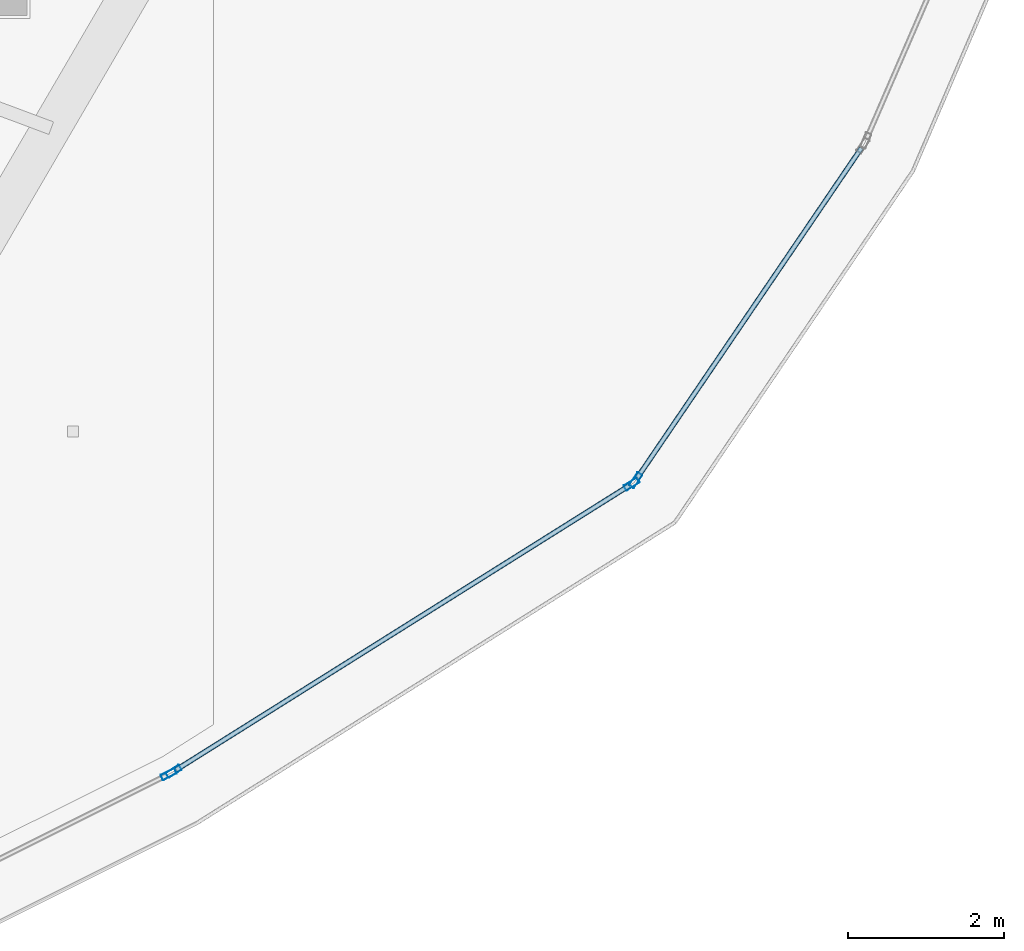
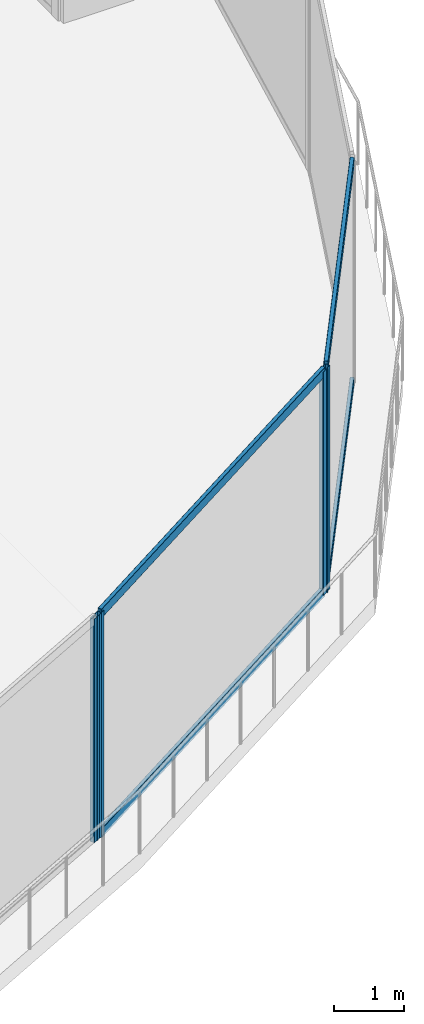
# One storey, part 8 of 27: 8 members, 3 elements without a shape of their own.
"""IFC4 building model written with IfcOpenShell, lengths in metres."""

import ifcopenshell
import ifcopenshell.guid

model = None  # the IFC model being written
_history = None  # IfcOwnerHistory: only IFC2X3 demands one
_inside = {}  # id of a spatial element -> (the spatial element, [elements in it])
_under = {}  # id of a project, library or spatial element -> (it, [spatial elements below it])
_declared = {}  # id of a project -> (the project, [libraries it declares])
_typed = {}  # id of a type object -> (the type object, [elements of that type])
_made_of = {}  # id of a material, layer set ... -> (it, [elements and type objects made of it])


def new_model(schema):
    """Start an empty IFC model of exactly this schema.

    Asked for "IFC4X3", IfcOpenShell would pick the latest addendum, in which some entities
    have other attributes; the version numbers below select the first issue.
    IFC2X3 requires an IfcOwnerHistory on every rooted entity: one is made here for all.
    """
    global model, _history
    if schema == "IFC4X3":
        model = ifcopenshell.file(schema_version=(4, 3, 0, 0))
    else:
        model = ifcopenshell.file(schema=schema)
    _inside.clear()
    _under.clear()
    _declared.clear()
    _typed.clear()
    _made_of.clear()
    _history = None
    if model.schema == "IFC2X3":
        org = make("IfcOrganization", Name="unknown")
        user = make(
            "IfcPersonAndOrganization",
            ThePerson=make("IfcPerson", FamilyName="unknown"),
            TheOrganization=org,
        )
        app = make(
            "IfcApplication",
            ApplicationDeveloper=org,
            Version="unknown",
            ApplicationFullName="unknown",
            ApplicationIdentifier="unknown",
        )
        _history = make(
            "IfcOwnerHistory",
            OwningUser=user,
            OwningApplication=app,
            ChangeAction="ADDED",
            CreationDate=0,
        )
    return model


def make(cls, **values):
    """One entity of the class cls with the attributes given. An attribute that is None is left unset."""
    return model.create_entity(
        cls, **{name: value for name, value in values.items() if value is not None}
    )


def rooted(cls, **values):
    """An entity with a GlobalId (a new one), such as an element, a storey or a relation."""
    return make(cls, GlobalId=ifcopenshell.guid.new(), OwnerHistory=_history, **values)


def si_unit(unit_type, name, prefix=None):
    """IfcSIUnit, for example si_unit("LENGTHUNIT", "METRE", prefix="MILLI")."""
    return make("IfcSIUnit", UnitType=unit_type, Prefix=prefix, Name=name)


def assignment(units):
    """IfcUnitAssignment: the units of a project."""
    return None if units is None else make("IfcUnitAssignment", Units=units)


def point(xyz):
    """IfcCartesianPoint."""
    return None if xyz is None else make("IfcCartesianPoint", Coordinates=xyz)


def direction(xyz):
    """IfcDirection."""
    return None if xyz is None else make("IfcDirection", DirectionRatios=xyz)


def frame(location, z_axis=None, x_axis=None):
    """IfcAxis2Placement3D, a coordinate frame: its origin and axes. An axis left out is left unset."""
    return make(
        "IfcAxis2Placement3D",
        Location=point(location),
        Axis=direction(z_axis),
        RefDirection=direction(x_axis),
    )


def frame_2d(location, x_axis=None):
    """IfcAxis2Placement2D, a coordinate frame in the plane: its origin and x axis."""
    return make(
        "IfcAxis2Placement2D", Location=point(location), RefDirection=direction(x_axis)
    )


def origin():
    """The frame at (0, 0, 0) with its axes left unset."""
    return frame((0.0, 0.0, 0.0))


def origin_2d():
    """The frame at (0, 0) in the plane with its x axis left unset."""
    return frame_2d((0.0, 0.0))


def place(relative_to, where):
    """IfcLocalPlacement: puts the frame where relative to a parent placement (None: the world)."""
    return make(
        "IfcLocalPlacement", PlacementRelTo=relative_to, RelativePlacement=where
    )


def context(
    kind, dimensions, precision=None, world=None, true_north=None, identifier=None
):
    """IfcGeometricRepresentationContext, for example the 3D "Model" context."""
    return make(
        "IfcGeometricRepresentationContext",
        ContextIdentifier=identifier,
        ContextType=kind,
        CoordinateSpaceDimension=dimensions,
        Precision=precision,
        WorldCoordinateSystem=world,
        TrueNorth=true_north,
    )


def subcontext(parent, identifier, kind, view, scale=None):
    """IfcGeometricRepresentationSubContext, for example "Body" below "Model"."""
    return make(
        "IfcGeometricRepresentationSubContext",
        ContextIdentifier=identifier,
        ContextType=kind,
        ParentContext=parent,
        TargetScale=scale,
        TargetView=view,
    )


def project(units=None, contexts=None):
    """IfcProject with its units and contexts."""
    return rooted(
        "IfcProject",
        Name="project",
        RepresentationContexts=contexts,
        UnitsInContext=assignment(units),
    )


def spatial(cls, under=None, at=None, **own):
    """A site, building, storey or space (cls), placed at a placement, below another one or the project."""
    s = rooted(cls, ObjectPlacement=at, **own)
    if under is not None:
        _under.setdefault(under.id(), (under, []))[1].append(s)
    return s


def profile(cls, at=None, kind="AREA", **sizes):
    """A parametric profile (cls). Its sizes go by their IFC names, for example OverallWidth=200.0."""
    return make(cls, ProfileType=kind, Position=at, **sizes)


def hollow_rectangle(**sizes):
    """IfcRectangleHollowProfileDef."""
    return profile("IfcRectangleHollowProfileDef", **sizes)


def extrude(swept, where, along, depth):
    """IfcExtrudedAreaSolid: the profile swept, set in the frame where, extruded along a direction by depth."""
    return make(
        "IfcExtrudedAreaSolid",
        SweptArea=swept,
        Position=where,
        ExtrudedDirection=direction(along),
        Depth=depth,
    )


def shape(context_of_items, identifier, shape_type, items):
    """IfcShapeRepresentation: the items that make up one representation, for example the "Body"."""
    return make(
        "IfcShapeRepresentation",
        ContextOfItems=context_of_items,
        RepresentationIdentifier=identifier,
        RepresentationType=shape_type,
        Items=items,
    )


def material(Name=None, Category=None):
    """IfcMaterial."""
    return make("IfcMaterial", Name=Name, Category=Category)


def layer(
    of_material, thickness, ventilated=None, Name=None, Category=None, Priority=None
):
    """IfcMaterialLayer: one layer of a wall or slab, of a material (None: an air gap)."""
    return make(
        "IfcMaterialLayer",
        Material=of_material,
        LayerThickness=thickness,
        IsVentilated=ventilated,
        Name=Name,
        Category=Category,
        Priority=Priority,
    )


def layer_set(layers, Name=None):
    """IfcMaterialLayerSet."""
    return make("IfcMaterialLayerSet", MaterialLayers=layers, LayerSetName=Name)


def material_profile(
    of_material, cross_section, Name=None, Category=None, Priority=None
):
    """IfcMaterialProfile: a cross section and its material."""
    return make(
        "IfcMaterialProfile",
        Name=Name,
        Material=of_material,
        Profile=cross_section,
        Priority=Priority,
        Category=Category,
    )


def profile_set(profiles, Name=None, composite=None):
    """IfcMaterialProfileSet."""
    return make(
        "IfcMaterialProfileSet",
        Name=Name,
        MaterialProfiles=profiles,
        CompositeProfile=composite,
    )


def made_of(thing, what):
    """Note that an element or type object is made of a material, layer set ...; save() writes the relation."""
    if what is not None:
        _made_of.setdefault(what.id(), (what, []))[1].append(thing)
    return thing


def type_object(cls, material=None, **own):
    """A type object (cls), such as IfcWallType, which elements share."""
    return made_of(rooted(cls, **own), material)


def element(
    cls,
    number,
    at=None,
    inside=None,
    cuts=None,
    type_object=None,
    material=None,
    context=None,
    identifier="Body",
    shape_type=None,
    held_by="IfcProductDefinitionShape",
    body=None,
    shapes=None,
    **own,
):
    """One element of the class cls, such as IfcWall. Its Tag is "e" and its number.

    at: its placement. inside: the storey or other place that contains it. cuts: it is an
    opening in that element (IfcRelVoidsElement). A single representation is given by context,
    identifier, shape_type and body (its items); several are given by shapes. held_by: the class
    of the entity that holds the representations. save() writes the other relations.
    """
    e = rooted(cls, Tag="e%d" % number, ObjectPlacement=at, **own)
    if body is not None:
        shapes = [shape(context, identifier, shape_type, body)]
    if shapes is not None:
        e.Representation = make(held_by, Representations=shapes)
    if inside is not None:
        _inside.setdefault(inside.id(), (inside, []))[1].append(e)
    if cuts is not None:
        rooted(
            "IfcRelVoidsElement", RelatingBuildingElement=cuts, RelatedOpeningElement=e
        )
    if type_object is not None:
        _typed.setdefault(type_object.id(), (type_object, []))[1].append(e)
    return made_of(e, material)


def aggregate(whole, parts):
    """IfcRelAggregates: a whole, such as a stair, and the parts it consists of."""
    return rooted("IfcRelAggregates", RelatingObject=whole, RelatedObjects=parts)


def save(model, path):
    """Write the relations noted so far, then the file.

    IfcRelAggregates (storeys below a building ...), IfcRelContainedInSpatialStructure (elements
    in a storey), IfcRelDefinesByType, IfcRelAssociatesMaterial and IfcRelDeclares: one each for
    every whole, place, type object, material and project.
    """
    for whole, parts in _under.values():
        aggregate(whole, parts)
    for where, things in _inside.values():
        rooted(
            "IfcRelContainedInSpatialStructure",
            RelatedElements=things,
            RelatingStructure=where,
        )
    for kind, things in _typed.values():
        rooted("IfcRelDefinesByType", RelatedObjects=things, RelatingType=kind)
    for what, things in _made_of.values():
        rooted("IfcRelAssociatesMaterial", RelatedObjects=things, RelatingMaterial=what)
    for by, libraries in _declared.values():
        rooted("IfcRelDeclares", RelatingContext=by, RelatedDefinitions=libraries)
    model.write(path)


model = new_model("IFC4")

# Units and contexts
model_context = context("Model", 3, precision=1e-05, world=origin(), true_north=direction((0.0, 1.0)))
body_context = subcontext(model_context, "Body", "Model", "MODEL_VIEW")
ifc_project = project(units=[si_unit("LENGTHUNIT", "METRE"), si_unit("AREAUNIT", "SQUARE_METRE"), si_unit("VOLUMEUNIT", "CUBIC_METRE"), si_unit("PLANEANGLEUNIT", "RADIAN"), si_unit("MASSUNIT", "GRAM", prefix="KILO")], contexts=[model_context])

# Site, building, storey
site_placement = place(None, origin())
site = spatial("IfcSite", under=ifc_project, at=site_placement, CompositionType="ELEMENT")
building_placement = place(site_placement, origin())
building = spatial("IfcBuilding", under=site, at=building_placement, Name="Qorvath Tower", CompositionType="ELEMENT")
storey_placement = place(building_placement, frame((0.0, 0.0, 293.39990234375)))
storey = spatial("IfcBuildingStorey", under=building, at=storey_placement, Name="L68", CompositionType="ELEMENT", Elevation=293.39990234375)

# Curtain wall, member
ifc_material_1 = material(Name="Anodised aluminium and triple low-E glass", Category="aluminium")
ifc_layer = layer(ifc_material_1, 0.179931640625)
ifc_layer_set = layer_set([ifc_layer], Name="CW-SYS-5")
curtain_wall_type = type_object("IfcCurtainWallType", Name="CW-SYS-5", PredefinedType="NOTDEFINED", material=ifc_layer_set)
curtain_wall_1_placement = place(storey_placement, origin())
curtain_wall_1 = element("IfcCurtainWall", 1, at=curtain_wall_1_placement, inside=storey, type_object=curtain_wall_type, Name="Curtain Wall CW-5 CW-T-L68-3.1", PredefinedType="NOTDEFINED")
ifc_material_2 = material(Name="Anodised aluminium 6063-T6", Category="aluminium")
ifc_material_profile_1 = material_profile(ifc_material_2, hollow_rectangle(XDim=0.074951171875, YDim=0.199951171875, WallThickness=0.00390625, InnerFilletRadius=0.00390625, OuterFilletRadius=0.008056640625, at=origin_2d()), Name="CWM 200x75")
ifc_profile_set_1 = profile_set([ifc_material_profile_1], Name="Anodised aluminium 6063-T6")
member_type_1 = type_object("IfcMemberType", Name="CWM-200", PredefinedType="MULLION", material=ifc_profile_set_1)
member_1_placement = place(storey_placement, frame((-14.9853515625, -21.56103515625, 0.0), z_axis=(0.0, 0.0, 1.0), x_axis=(-0.447213595499, 0.894427191001, 0.0)))
member_1 = element("IfcMember", 2, at=member_1_placement, type_object=member_type_1, Name="CW-5 mullion 2", PredefinedType="MULLION", context=body_context, shape_type="SweptSolid", body=[
    extrude(hollow_rectangle(XDim=0.074951171875, YDim=0.199951171875, WallThickness=0.00390625, InnerFilletRadius=0.00390625, OuterFilletRadius=0.008056640625, at=origin_2d()), origin(), (0.0, 0.0, 1.0), 3.91015625),
])
aggregate(curtain_wall_1, [member_1])

# Curtain wall, members
curtain_wall_2_placement = place(storey_placement, origin())
curtain_wall_2 = element("IfcCurtainWall", 3, at=curtain_wall_2_placement, inside=storey, type_object=curtain_wall_type, Name="Curtain Wall CW-5 CW-T-L68-4.1", PredefinedType="NOTDEFINED")
member_2_placement = place(storey_placement, frame((-14.919921875, -21.524169921875, 0.0), z_axis=(0.0, 0.0, 1.0), x_axis=(-0.531429285727, 0.847102658638, 0.0)))
member_2 = element("IfcMember", 4, at=member_2_placement, type_object=member_type_1, Name="CW-5 mullion 1", PredefinedType="MULLION", context=body_context, shape_type="SweptSolid", body=[
    extrude(hollow_rectangle(XDim=0.074951171875, YDim=0.199951171875, WallThickness=0.00390625, InnerFilletRadius=0.00390625, OuterFilletRadius=0.008056640625, at=origin_2d()), origin(), (0.0, 0.0, 1.0), 3.91015625),
])
member_3_placement = place(storey_placement, frame((-9.0615234375, -17.84912109375, 0.0), z_axis=(0.0, 0.0, 1.0), x_axis=(-0.531429285727, 0.847102658638, 0.0)))
member_3 = element("IfcMember", 5, at=member_3_placement, type_object=member_type_1, Name="CW-5 mullion 2", PredefinedType="MULLION", context=body_context, shape_type="SweptSolid", body=[
    extrude(hollow_rectangle(XDim=0.074951171875, YDim=0.199951171875, WallThickness=0.00390625, InnerFilletRadius=0.00390625, OuterFilletRadius=0.008056640625, at=origin_2d()), origin(), (0.0, 0.0, 1.0), 3.91015625),
])

# Curtain wall, member
curtain_wall_3_placement = place(storey_placement, origin())
curtain_wall_3 = element("IfcCurtainWall", 6, at=curtain_wall_3_placement, inside=storey, type_object=curtain_wall_type, Name="Curtain Wall CW-5 CW-T-L68-5.1", PredefinedType="NOTDEFINED")
member_4_placement = place(storey_placement, frame((-9.0087890625, -17.798095703125, 0.0), z_axis=(0.0, 0.0, 1.0), x_axis=(-0.827126975867, 0.562015093919, 0.0)))
member_4 = element("IfcMember", 7, at=member_4_placement, type_object=member_type_1, Name="CW-5 mullion 1", PredefinedType="MULLION", context=body_context, shape_type="SweptSolid", body=[
    extrude(hollow_rectangle(XDim=0.074951171875, YDim=0.199951171875, WallThickness=0.00390625, InnerFilletRadius=0.00390625, OuterFilletRadius=0.008056640625, at=origin_2d()), origin(), (0.0, 0.0, 1.0), 3.91015625),
])

# Member
ifc_material_3 = material(Name="Anodised aluminium 6063-T6", Category="aluminium")
ifc_material_profile_2 = material_profile(ifc_material_3, hollow_rectangle(XDim=0.06494140625, YDim=0.159912109375, WallThickness=0.00341796875, InnerFilletRadius=0.00341796875, OuterFilletRadius=0.007080078125, at=origin_2d()), Name="CWT 160x65")
ifc_profile_set_2 = profile_set([ifc_material_profile_2], Name="Anodised aluminium 6063-T6")
member_type_2 = type_object("IfcMemberType", Name="CWT-160", PredefinedType="USERDEFINED", material=ifc_profile_set_2)
member_5_placement = place(storey_placement, frame((-14.88818359375, -21.50439453125, 0.032470703125), z_axis=(0.847098862343, 0.531435337005, 0.0), x_axis=(-0.531435337005, 0.847098862343, 0.0)))
member_5 = element("IfcMember", 8, at=member_5_placement, type_object=member_type_2, Name="CW-5 transom 1.1", ObjectType="TRANSOM", PredefinedType="USERDEFINED", context=body_context, shape_type="SweptSolid", body=[
    extrude(hollow_rectangle(XDim=0.06494140625, YDim=0.159912109375, WallThickness=0.00341796875, InnerFilletRadius=0.00341796875, OuterFilletRadius=0.007080078125, at=origin_2d()), origin(), (0.0, 0.0, 1.0), 6.8408203125),
])

member_6_placement = place(storey_placement, frame((-14.88818359375, -21.50439453125, 3.877685546875), z_axis=(0.847098862343, 0.531435337005, 0.0), x_axis=(-0.531435337005, 0.847098862343, 0.0)))
member_6 = element("IfcMember", 9, at=member_6_placement, type_object=member_type_2, Name="CW-5 transom 1.2", ObjectType="TRANSOM", PredefinedType="USERDEFINED", context=body_context, shape_type="SweptSolid", body=[
    extrude(hollow_rectangle(XDim=0.06494140625, YDim=0.159912109375, WallThickness=0.00341796875, InnerFilletRadius=0.00341796875, OuterFilletRadius=0.007080078125, at=origin_2d()), origin(), (0.0, 0.0, 1.0), 6.8408203125),
])

aggregate(curtain_wall_2, [member_2, member_3, member_5, member_6])

member_7_placement = place(storey_placement, frame((-8.987548828125, -17.76708984375, 0.032470703125), z_axis=(0.562014060619, 0.827127677971, 0.0), x_axis=(-0.827127677971, 0.562014060619, 0.0)))
member_7 = element("IfcMember", 10, at=member_7_placement, type_object=member_type_2, Name="CW-5 transom 1.1", ObjectType="TRANSOM", PredefinedType="USERDEFINED", context=body_context, shape_type="SweptSolid", body=[
    extrude(hollow_rectangle(XDim=0.06494140625, YDim=0.159912109375, WallThickness=0.00341796875, InnerFilletRadius=0.00341796875, OuterFilletRadius=0.007080078125, at=origin_2d()), origin(), (0.0, 0.0, 1.0), 5.099853515625),
])

member_8_placement = place(storey_placement, frame((-8.987548828125, -17.76708984375, 3.877685546875), z_axis=(0.562014060619, 0.827127677971, 0.0), x_axis=(-0.827127677971, 0.562014060619, 0.0)))
member_8 = element("IfcMember", 11, at=member_8_placement, type_object=member_type_2, Name="CW-5 transom 1.2", ObjectType="TRANSOM", PredefinedType="USERDEFINED", context=body_context, shape_type="SweptSolid", body=[
    extrude(hollow_rectangle(XDim=0.06494140625, YDim=0.159912109375, WallThickness=0.00341796875, InnerFilletRadius=0.00341796875, OuterFilletRadius=0.007080078125, at=origin_2d()), origin(), (0.0, 0.0, 1.0), 5.099853515625),
])

aggregate(curtain_wall_3, [member_4, member_7, member_8])

save(model, "model.ifc")
